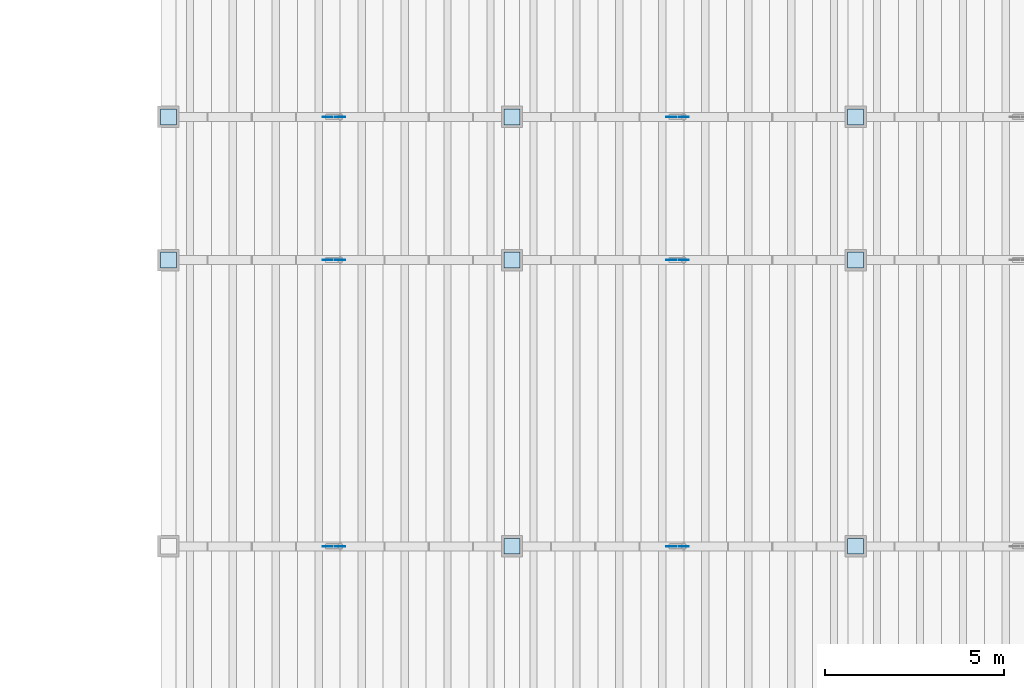
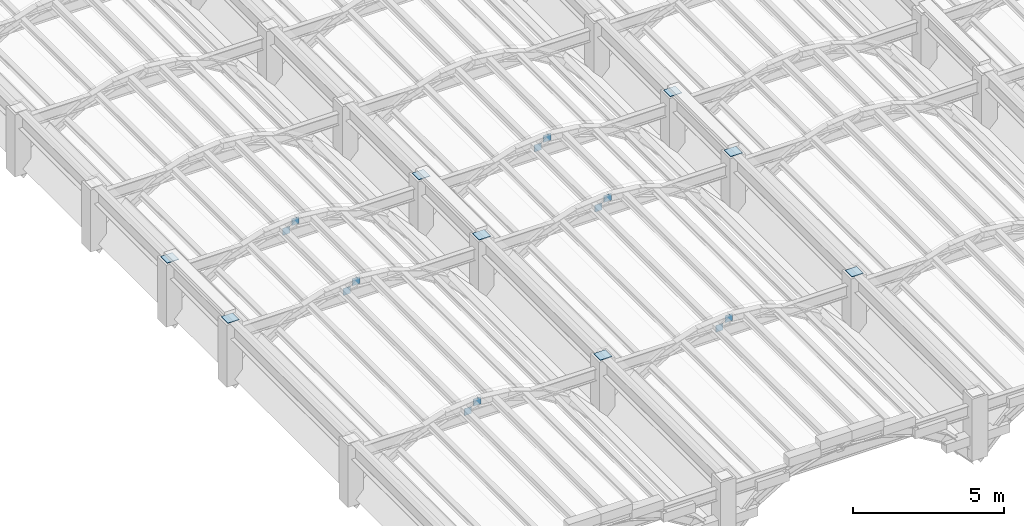
# One storey, part 52 of 70: 20 plates.
"""IFC4 building model written with IfcOpenShell, lengths in metres."""

from ifc_helpers import new_model, si_unit, direction, frame, origin, origin_2d, place, context, subcontext, project, spatial, rectangle, extrude, material, layer, layer_set, type_object, element, save


model = new_model("IFC4")

# Units and contexts
model_context = context("Model", 3, precision=1e-05, world=origin(), true_north=direction((0.0, 1.0)))
body_context = subcontext(model_context, "Body", "Model", "MODEL_VIEW")
ifc_project = project(units=[si_unit("LENGTHUNIT", "METRE"), si_unit("AREAUNIT", "SQUARE_METRE"), si_unit("VOLUMEUNIT", "CUBIC_METRE"), si_unit("PLANEANGLEUNIT", "RADIAN"), si_unit("MASSUNIT", "GRAM", prefix="KILO")], contexts=[model_context])

# Site, building, storey
site_placement = place(None, origin())
site = spatial("IfcSite", under=ifc_project, at=site_placement, CompositionType="ELEMENT")
building_placement = place(site_placement, origin())
building = spatial("IfcBuilding", under=site, at=building_placement, Name="Mavantir Sound Aquarium", CompositionType="ELEMENT")
storey_placement = place(building_placement, frame((0.0, 0.0, 27.0)))
storey = spatial("IfcBuildingStorey", under=building, at=storey_placement, Name="RF", CompositionType="ELEMENT", Elevation=27.0)

# Plates
ifc_material = material(Name="Structural Steel ASTM A572 Gr50", Category="steel")
ifc_layer_1 = layer(ifc_material, 0.02001953125, Name="Structural Steel ASTM A572 Gr50")
ifc_layer_set_1 = layer_set([ifc_layer_1], Name="Structural Steel ASTM A572 Gr50")
plate_type_1 = type_object("IfcPlateType", Name="PLT-ENDCAP-20", PredefinedType="SHEET", material=ifc_layer_set_1)
for number, where, z_axis, x_axis, name in (
    (1, (108.0, 56.800048828125, -4.699951171875), (0.0, 0.0, 1.0), (1.0, 0.0, 0.0), "Ridge column cap plate 1.57"),
    (2, (108.0, 60.800048828125, -4.699951171875), (0.0, 0.0, 1.0), (1.0, 0.0, 0.0), "Ridge column cap plate 1.61"),
    (3, (117.60009765625, 48.800048828125, -4.699951171875), (0.0, 0.0, 1.0), (1.0, 0.0, 0.0), "Ridge column cap plate 2.49"),
    (4, (117.60009765625, 56.800048828125, -4.699951171875), (0.0, 0.0, 1.0), (1.0, 0.0, 0.0), "Ridge column cap plate 2.57"),
    (5, (117.60009765625, 60.800048828125, -4.699951171875), (0.0, 0.0, 1.0), (1.0, 0.0, 0.0), "Ridge column cap plate 2.61"),
    (6, (127.199951171875, 48.800048828125, -4.699951171875), (0.0, 0.0, 1.0), (1.0, 0.0, 0.0), "Ridge column cap plate 3.49"),
    (7, (127.199951171875, 56.800048828125, -4.699951171875), (0.0, 0.0, 1.0), (1.0, 0.0, 0.0), "Ridge column cap plate 3.57"),
    (8, (127.199951171875, 60.800048828125, -4.699951171875), (0.0, 0.0, 1.0), (1.0, 0.0, 0.0), "Ridge column cap plate 3.61"),
):
    element("IfcPlate", number, at=place(storey_placement, frame(where, z_axis=z_axis, x_axis=x_axis)), inside=storey, type_object=plate_type_1, Name=name, PredefinedType="SHEET", context=body_context, shape_type="SweptSolid", body=[
        extrude(rectangle(XDim=0.43994140625, YDim=0.43994140625, at=origin_2d()), origin(), (0.0, 0.0, 1.0), 0.02001953125),
    ])
ifc_layer_2 = layer(ifc_material, 0.01611328125, Name="Structural Steel ASTM A572 Gr50")
ifc_layer_set_2 = layer_set([ifc_layer_2], Name="Structural Steel ASTM A572 Gr50")
plate_type_2 = type_object("IfcPlateType", Name="PLT-GUSSET-16", PredefinedType="SHEET", material=ifc_layer_set_2)
for number, where, z_axis, x_axis, name in (
    (9, (112.449951171875, 48.800048828125, -5.283203125), (0.0, 0.0, 1.0), (1.0, 0.0, 0.0), "Brace end gusset plate GP-01 73"),
    (10, (112.800048828125, 48.800048828125, -5.0166015625), (0.0, 0.0, 1.0), (1.0, 0.0, 0.0), "Brace end gusset plate GP-01 74"),
    (11, (112.449951171875, 56.800048828125, -5.283203125), (0.0, 0.0, 1.0), (1.0, 0.0, 0.0), "Brace end gusset plate GP-01 75"),
    (12, (112.800048828125, 56.800048828125, -5.0166015625), (0.0, 0.0, 1.0), (1.0, 0.0, 0.0), "Brace end gusset plate GP-01 76"),
    (13, (112.449951171875, 60.800048828125, -5.283203125), (0.0, 0.0, 1.0), (1.0, 0.0, 0.0), "Brace end gusset plate GP-01 77"),
    (14, (112.800048828125, 60.800048828125, -5.0166015625), (0.0, 0.0, 1.0), (1.0, 0.0, 0.0), "Brace end gusset plate GP-01 78"),
    (15, (122.050048828125, 48.800048828125, -5.283203125), (0.0, 0.0, 1.0), (1.0, 0.0, 0.0), "Brace end gusset plate GP-01 93"),
    (16, (122.39990234375, 48.800048828125, -5.0166015625), (0.0, 0.0, 1.0), (1.0, 0.0, 0.0), "Brace end gusset plate GP-01 94"),
    (17, (122.050048828125, 56.800048828125, -5.283203125), (0.0, 0.0, 1.0), (1.0, 0.0, 0.0), "Brace end gusset plate GP-01 95"),
    (18, (122.39990234375, 56.800048828125, -5.0166015625), (0.0, 0.0, 1.0), (1.0, 0.0, 0.0), "Brace end gusset plate GP-01 96"),
    (19, (122.050048828125, 60.800048828125, -5.283203125), (0.0, 0.0, 1.0), (1.0, 0.0, 0.0), "Brace end gusset plate GP-01 97"),
    (20, (122.39990234375, 60.800048828125, -5.0166015625), (0.0, 0.0, 1.0), (1.0, 0.0, 0.0), "Brace end gusset plate GP-01 98"),
):
    element("IfcPlate", number, at=place(storey_placement, frame(where, z_axis=z_axis, x_axis=x_axis)), inside=storey, type_object=plate_type_2, Name=name, PredefinedType="SHEET", context=body_context, shape_type="SweptSolid", body=[
        extrude(rectangle(XDim=0.280029296875, YDim=0.01611328125, at=origin_2d()), origin(), (0.0, 0.0, 1.0), 0.280029296875),
    ])

save(model, "model.ifc")
